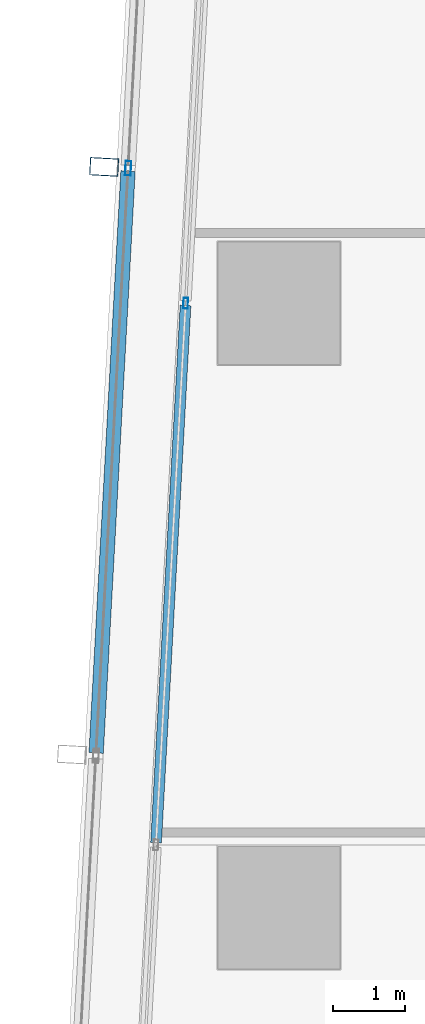
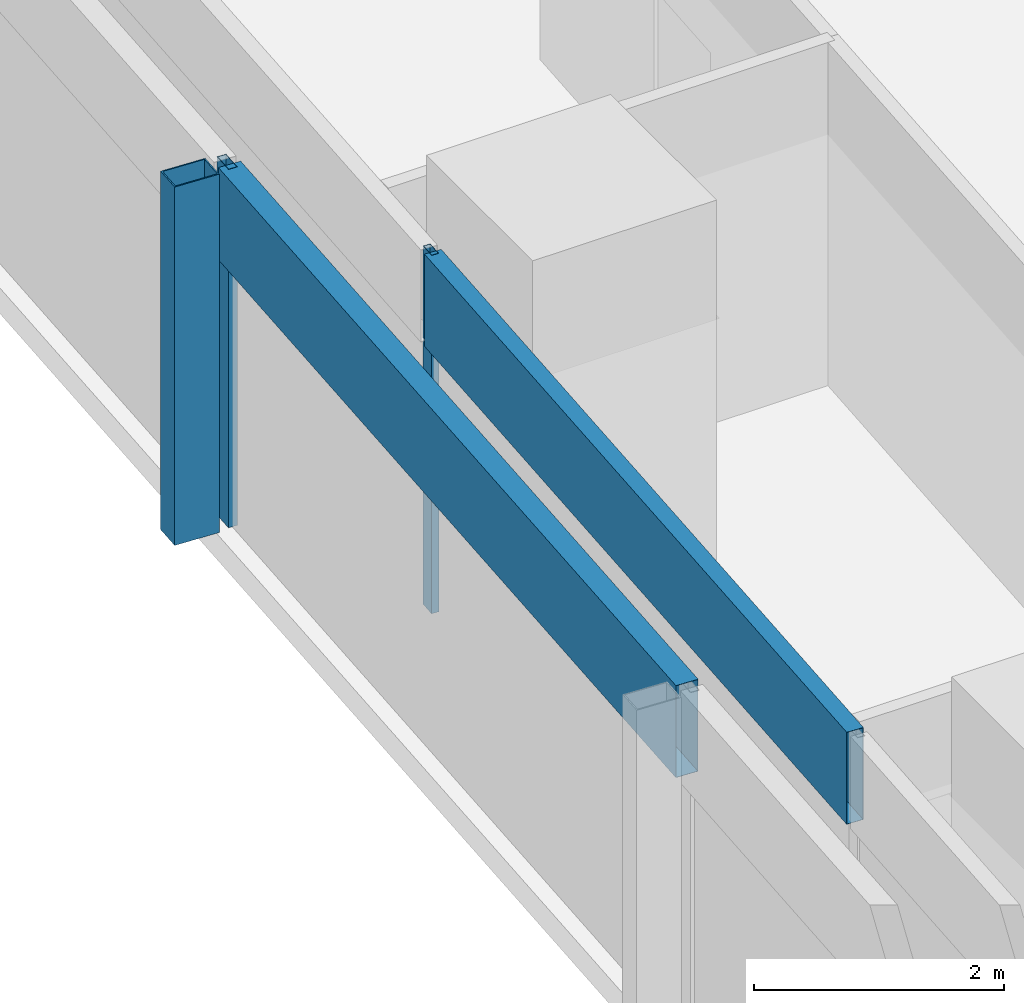
# One storey, part 14 of 40: 5 members, 2 elements without a shape of their own.
"""IFC4 building model written with IfcOpenShell, lengths in metres."""

from ifc_helpers import new_model, si_unit, direction, frame, origin, origin_2d, place, context, subcontext, project, spatial, hollow_rectangle, extrude, material, material_profile, profile_set, type_object, element, aggregate, save


model = new_model("IFC4")

# Units and contexts
model_context = context("Model", 3, precision=1e-05, world=origin(), true_north=direction((0.0, 1.0)))
body_context = subcontext(model_context, "Body", "Model", "MODEL_VIEW")
ifc_project = project(units=[si_unit("LENGTHUNIT", "METRE"), si_unit("AREAUNIT", "SQUARE_METRE"), si_unit("VOLUMEUNIT", "CUBIC_METRE"), si_unit("PLANEANGLEUNIT", "RADIAN"), si_unit("MASSUNIT", "GRAM", prefix="KILO")], contexts=[model_context])

# Site, building, storey
site_placement = place(None, origin())
site = spatial("IfcSite", under=ifc_project, at=site_placement, CompositionType="ELEMENT")
building_placement = place(site_placement, origin())
building = spatial("IfcBuilding", under=site, at=building_placement, Name="Rekha Terrace Tower", CompositionType="ELEMENT")
storey_placement = place(building_placement, frame((0.0, 0.0, 121.550048828125)))
storey = spatial("IfcBuildingStorey", under=building, at=storey_placement, Name="L30", CompositionType="ELEMENT", Elevation=121.550048828125)

# Curtain wall, member
ifc_material_1 = material(Name="Aluminium framing", Category="aluminium")
curtain_wall_type_1 = type_object("IfcCurtainWallType", Name="CW2 double skin outer glazing", PredefinedType="USERDEFINED", material=ifc_material_1)
curtain_wall_1_placement = place(storey_placement, origin())
curtain_wall_1 = element("IfcCurtainWall", 1, at=curtain_wall_1_placement, inside=storey, type_object=curtain_wall_type_1, Name="CW2 double skin outer glazing", ObjectType="DOUBLE SKIN OUTER GLAZING", PredefinedType="USERDEFINED")
ifc_material_2 = material(Name="Steel S355 with fluorocarbon finish", Category="steel")
ifc_material_profile_1 = material_profile(ifc_material_2, hollow_rectangle(XDim=0.25, YDim=0.39990234375, WallThickness=0.012451171875, at=origin_2d()), Name="RHS400x250x12.5")
ifc_profile_set_1 = profile_set([ifc_material_profile_1], Name="Steel S355 with fluorocarbon finish")
member_type_1 = type_object("IfcMemberType", Name="BL1 facade blade RHS 400 x 250", PredefinedType="USERDEFINED", material=ifc_profile_set_1)
member_1_placement = place(storey_placement, frame((5.969482421875, 52.29638671875, 0.0), z_axis=(0.0, 0.0, 1.0), x_axis=(-0.054742798353, -0.998500488747, 0.0)))
member_1 = element("IfcMember", 2, at=member_1_placement, type_object=member_type_1, Name="Facade blade", ObjectType="FACADE BLADE", PredefinedType="USERDEFINED", context=body_context, shape_type="SweptSolid", body=[
    extrude(hollow_rectangle(XDim=0.25, YDim=0.39990234375, WallThickness=0.012451171875, at=origin_2d()), origin(), (0.0, 0.0, 1.0), 3.5),
])

# Curtain wall, members
curtain_wall_type_2 = type_object("IfcCurtainWallType", Name="CW1 double skin inner glazing", PredefinedType="USERDEFINED", material=ifc_material_1)
curtain_wall_2_placement = place(storey_placement, origin())
curtain_wall_2 = element("IfcCurtainWall", 3, at=curtain_wall_2_placement, inside=storey, type_object=curtain_wall_type_2, Name="CW1 double skin inner glazing", ObjectType="DOUBLE SKIN INNER GLAZING", PredefinedType="USERDEFINED")
ifc_material_3 = material(Name="Aluminium mullion section", Category="aluminium")
ifc_material_profile_2 = material_profile(ifc_material_3, hollow_rectangle(XDim=0.06494140625, YDim=0.14990234375, WallThickness=0.00390625, at=origin_2d()), Name="AL RHS 65x150")
ifc_profile_set_2 = profile_set([ifc_material_profile_2], Name="Aluminium mullion section")
member_type_2 = type_object("IfcMemberType", Name="CW1 mullion RHS 65 x 150", PredefinedType="MULLION", material=ifc_profile_set_2)
member_2_placement = place(storey_placement, frame((7.1025390625, 50.40234375, 0.0), z_axis=(0.0, 0.0, 1.0), x_axis=(0.99850051318, -0.054742352707, 0.0)))
member_2 = element("IfcMember", 4, at=member_2_placement, type_object=member_type_2, Name="CW1 mullion 2", PredefinedType="MULLION", context=body_context, shape_type="SweptSolid", body=[
    extrude(hollow_rectangle(XDim=0.06494140625, YDim=0.14990234375, WallThickness=0.00390625, at=origin_2d()), origin(), (0.0, 0.0, 1.0), 3.5),
])
ifc_material_4 = material(Name="Insulated aluminium spandrel box", Category="aluminium")
ifc_material_profile_3 = material_profile(ifc_material_4, hollow_rectangle(XDim=0.14990234375, YDim=0.89990234375, WallThickness=0.0029296875, at=origin_2d()), Name="AL SPANDREL BOX 150x900")
ifc_profile_set_3 = profile_set([ifc_material_profile_3], Name="Insulated aluminium spandrel box")
member_type_3 = type_object("IfcMemberType", Name="CW1 spandrel transom 150 x 900", PredefinedType="USERDEFINED", material=ifc_profile_set_3)
member_3_placement = place(storey_placement, frame((7.100830078125, 50.369873046875, 3.050048828125), z_axis=(-0.054764629515, -0.998499291614, 0.0), x_axis=(0.998499291614, -0.054764629515, 0.0)))
member_3 = element("IfcMember", 5, at=member_3_placement, type_object=member_type_3, Name="CW1 spandrel transom 2", ObjectType="TRANSOM", PredefinedType="USERDEFINED", context=body_context, shape_type="SweptSolid", body=[
    extrude(hollow_rectangle(XDim=0.14990234375, YDim=0.89990234375, WallThickness=0.0029296875, at=origin_2d()), origin(), (0.0, 0.0, 1.0), 7.47607421875),
])
aggregate(curtain_wall_2, [member_2, member_3])

# Member
ifc_material_profile_4 = material_profile(ifc_material_3, hollow_rectangle(XDim=0.080078125, YDim=0.199951171875, WallThickness=0.00390625, at=origin_2d()), Name="AL RHS 80x200")
ifc_profile_set_4 = profile_set([ifc_material_profile_4], Name="Aluminium mullion section")
member_type_4 = type_object("IfcMemberType", Name="CW2 mullion RHS 80 x 200", PredefinedType="MULLION", material=ifc_profile_set_4)
member_4_placement = place(storey_placement, frame((6.303955078125, 52.278076171875, 0.0), z_axis=(0.0, 0.0, 1.0), x_axis=(0.99850051318, -0.054742352707, 0.0)))
member_4 = element("IfcMember", 6, at=member_4_placement, type_object=member_type_4, Name="CW2 mullion 2", PredefinedType="MULLION", context=body_context, shape_type="SweptSolid", body=[
    extrude(hollow_rectangle(XDim=0.080078125, YDim=0.199951171875, WallThickness=0.00390625, at=origin_2d()), origin(), (0.0, 0.0, 1.0), 3.5),
])

ifc_material_profile_5 = material_profile(ifc_material_4, hollow_rectangle(XDim=0.199951171875, YDim=0.89990234375, WallThickness=0.0029296875, at=origin_2d()), Name="AL SPANDREL BOX 200x900")
ifc_profile_set_5 = profile_set([ifc_material_profile_5], Name="Insulated aluminium spandrel box")
member_type_5 = type_object("IfcMemberType", Name="CW2 spandrel transom 200 x 900", PredefinedType="USERDEFINED", material=ifc_profile_set_5)
member_5_placement = place(storey_placement, frame((6.3017578125, 52.23828125, 3.050048828125), z_axis=(-0.054735499102, -0.998500888902, 0.0), x_axis=(0.998500888902, -0.054735499102, 0.0)))
member_5 = element("IfcMember", 7, at=member_5_placement, type_object=member_type_5, Name="CW2 spandrel transom 2", ObjectType="TRANSOM", PredefinedType="USERDEFINED", context=body_context, shape_type="SweptSolid", body=[
    extrude(hollow_rectangle(XDim=0.199951171875, YDim=0.89990234375, WallThickness=0.0029296875, at=origin_2d()), origin(), (0.0, 0.0, 1.0), 8.10009765625),
])

aggregate(curtain_wall_1, [member_4, member_5, member_1])

save(model, "model.ifc")
